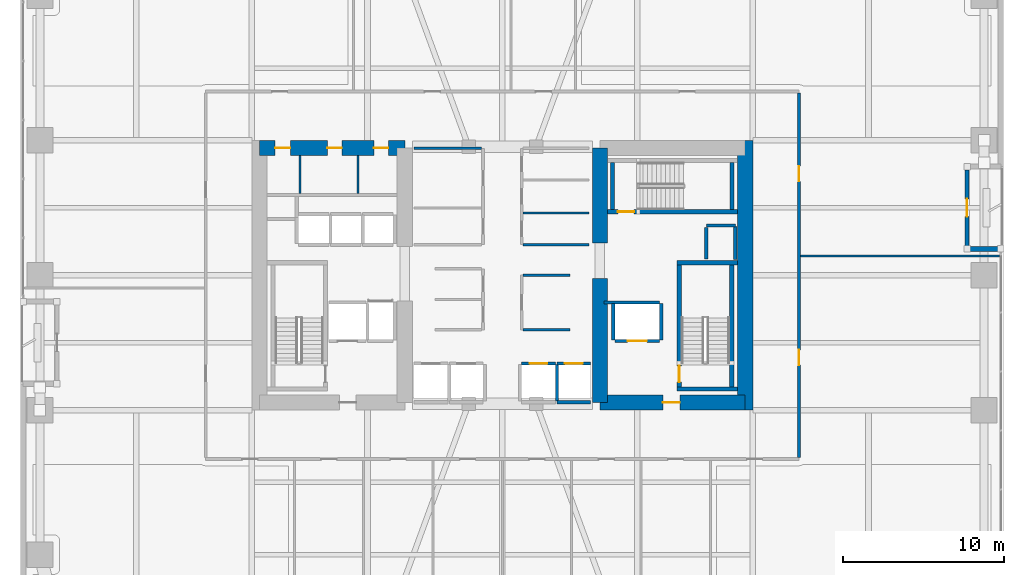
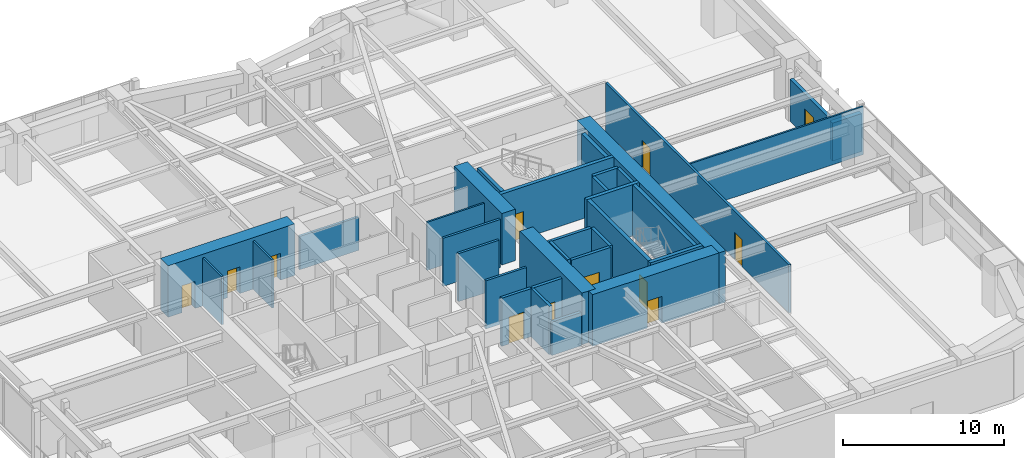
# One storey, part 24 of 28: 34 walls, 12 doors, 12 openings.
"""IFC4 building model written with IfcOpenShell, lengths in metres."""

import ifcopenshell
import ifcopenshell.guid

model = None  # the IFC model being written
_history = None  # IfcOwnerHistory: only IFC2X3 demands one
_inside = {}  # id of a spatial element -> (the spatial element, [elements in it])
_under = {}  # id of a project, library or spatial element -> (it, [spatial elements below it])
_declared = {}  # id of a project -> (the project, [libraries it declares])
_typed = {}  # id of a type object -> (the type object, [elements of that type])
_made_of = {}  # id of a material, layer set ... -> (it, [elements and type objects made of it])


def new_model(schema):
    """Start an empty IFC model of exactly this schema.

    Asked for "IFC4X3", IfcOpenShell would pick the latest addendum, in which some entities
    have other attributes; the version numbers below select the first issue.
    IFC2X3 requires an IfcOwnerHistory on every rooted entity: one is made here for all.
    """
    global model, _history
    if schema == "IFC4X3":
        model = ifcopenshell.file(schema_version=(4, 3, 0, 0))
    else:
        model = ifcopenshell.file(schema=schema)
    _inside.clear()
    _under.clear()
    _declared.clear()
    _typed.clear()
    _made_of.clear()
    _history = None
    if model.schema == "IFC2X3":
        org = make("IfcOrganization", Name="unknown")
        user = make(
            "IfcPersonAndOrganization",
            ThePerson=make("IfcPerson", FamilyName="unknown"),
            TheOrganization=org,
        )
        app = make(
            "IfcApplication",
            ApplicationDeveloper=org,
            Version="unknown",
            ApplicationFullName="unknown",
            ApplicationIdentifier="unknown",
        )
        _history = make(
            "IfcOwnerHistory",
            OwningUser=user,
            OwningApplication=app,
            ChangeAction="ADDED",
            CreationDate=0,
        )
    return model


def make(cls, **values):
    """One entity of the class cls with the attributes given. An attribute that is None is left unset."""
    return model.create_entity(
        cls, **{name: value for name, value in values.items() if value is not None}
    )


def rooted(cls, **values):
    """An entity with a GlobalId (a new one), such as an element, a storey or a relation."""
    return make(cls, GlobalId=ifcopenshell.guid.new(), OwnerHistory=_history, **values)


def si_unit(unit_type, name, prefix=None):
    """IfcSIUnit, for example si_unit("LENGTHUNIT", "METRE", prefix="MILLI")."""
    return make("IfcSIUnit", UnitType=unit_type, Prefix=prefix, Name=name)


def assignment(units):
    """IfcUnitAssignment: the units of a project."""
    return None if units is None else make("IfcUnitAssignment", Units=units)


def point(xyz):
    """IfcCartesianPoint."""
    return None if xyz is None else make("IfcCartesianPoint", Coordinates=xyz)


def direction(xyz):
    """IfcDirection."""
    return None if xyz is None else make("IfcDirection", DirectionRatios=xyz)


def frame(location, z_axis=None, x_axis=None):
    """IfcAxis2Placement3D, a coordinate frame: its origin and axes. An axis left out is left unset."""
    return make(
        "IfcAxis2Placement3D",
        Location=point(location),
        Axis=direction(z_axis),
        RefDirection=direction(x_axis),
    )


def frame_2d(location, x_axis=None):
    """IfcAxis2Placement2D, a coordinate frame in the plane: its origin and x axis."""
    return make(
        "IfcAxis2Placement2D", Location=point(location), RefDirection=direction(x_axis)
    )


def origin():
    """The frame at (0, 0, 0) with its axes left unset."""
    return frame((0.0, 0.0, 0.0))


def place(relative_to, where):
    """IfcLocalPlacement: puts the frame where relative to a parent placement (None: the world)."""
    return make(
        "IfcLocalPlacement", PlacementRelTo=relative_to, RelativePlacement=where
    )


def context(
    kind, dimensions, precision=None, world=None, true_north=None, identifier=None
):
    """IfcGeometricRepresentationContext, for example the 3D "Model" context."""
    return make(
        "IfcGeometricRepresentationContext",
        ContextIdentifier=identifier,
        ContextType=kind,
        CoordinateSpaceDimension=dimensions,
        Precision=precision,
        WorldCoordinateSystem=world,
        TrueNorth=true_north,
    )


def subcontext(parent, identifier, kind, view, scale=None):
    """IfcGeometricRepresentationSubContext, for example "Body" below "Model"."""
    return make(
        "IfcGeometricRepresentationSubContext",
        ContextIdentifier=identifier,
        ContextType=kind,
        ParentContext=parent,
        TargetScale=scale,
        TargetView=view,
    )


def project(units=None, contexts=None):
    """IfcProject with its units and contexts."""
    return rooted(
        "IfcProject",
        Name="project",
        RepresentationContexts=contexts,
        UnitsInContext=assignment(units),
    )


def spatial(cls, under=None, at=None, **own):
    """A site, building, storey or space (cls), placed at a placement, below another one or the project."""
    s = rooted(cls, ObjectPlacement=at, **own)
    if under is not None:
        _under.setdefault(under.id(), (under, []))[1].append(s)
    return s


def profile(cls, at=None, kind="AREA", **sizes):
    """A parametric profile (cls). Its sizes go by their IFC names, for example OverallWidth=200.0."""
    return make(cls, ProfileType=kind, Position=at, **sizes)


def rectangle(**sizes):
    """IfcRectangleProfileDef."""
    return profile("IfcRectangleProfileDef", **sizes)


def extrude(swept, where, along, depth):
    """IfcExtrudedAreaSolid: the profile swept, set in the frame where, extruded along a direction by depth."""
    return make(
        "IfcExtrudedAreaSolid",
        SweptArea=swept,
        Position=where,
        ExtrudedDirection=direction(along),
        Depth=depth,
    )


def shape(context_of_items, identifier, shape_type, items):
    """IfcShapeRepresentation: the items that make up one representation, for example the "Body"."""
    return make(
        "IfcShapeRepresentation",
        ContextOfItems=context_of_items,
        RepresentationIdentifier=identifier,
        RepresentationType=shape_type,
        Items=items,
    )


def material(Name=None, Category=None):
    """IfcMaterial."""
    return make("IfcMaterial", Name=Name, Category=Category)


def layer(
    of_material, thickness, ventilated=None, Name=None, Category=None, Priority=None
):
    """IfcMaterialLayer: one layer of a wall or slab, of a material (None: an air gap)."""
    return make(
        "IfcMaterialLayer",
        Material=of_material,
        LayerThickness=thickness,
        IsVentilated=ventilated,
        Name=Name,
        Category=Category,
        Priority=Priority,
    )


def layer_set(layers, Name=None):
    """IfcMaterialLayerSet."""
    return make("IfcMaterialLayerSet", MaterialLayers=layers, LayerSetName=Name)


def made_of(thing, what):
    """Note that an element or type object is made of a material, layer set ...; save() writes the relation."""
    if what is not None:
        _made_of.setdefault(what.id(), (what, []))[1].append(thing)
    return thing


def type_object(cls, material=None, **own):
    """A type object (cls), such as IfcWallType, which elements share."""
    return made_of(rooted(cls, **own), material)


def element(
    cls,
    number,
    at=None,
    inside=None,
    cuts=None,
    type_object=None,
    material=None,
    context=None,
    identifier="Body",
    shape_type=None,
    held_by="IfcProductDefinitionShape",
    body=None,
    shapes=None,
    **own,
):
    """One element of the class cls, such as IfcWall. Its Tag is "e" and its number.

    at: its placement. inside: the storey or other place that contains it. cuts: it is an
    opening in that element (IfcRelVoidsElement). A single representation is given by context,
    identifier, shape_type and body (its items); several are given by shapes. held_by: the class
    of the entity that holds the representations. save() writes the other relations.
    """
    e = rooted(cls, Tag="e%d" % number, ObjectPlacement=at, **own)
    if body is not None:
        shapes = [shape(context, identifier, shape_type, body)]
    if shapes is not None:
        e.Representation = make(held_by, Representations=shapes)
    if inside is not None:
        _inside.setdefault(inside.id(), (inside, []))[1].append(e)
    if cuts is not None:
        rooted(
            "IfcRelVoidsElement", RelatingBuildingElement=cuts, RelatedOpeningElement=e
        )
    if type_object is not None:
        _typed.setdefault(type_object.id(), (type_object, []))[1].append(e)
    return made_of(e, material)


def fill(opening, filler):
    """IfcRelFillsElement: the door or window that sits in an opening."""
    return rooted(
        "IfcRelFillsElement",
        RelatingOpeningElement=opening,
        RelatedBuildingElement=filler,
    )


def aggregate(whole, parts):
    """IfcRelAggregates: a whole, such as a stair, and the parts it consists of."""
    return rooted("IfcRelAggregates", RelatingObject=whole, RelatedObjects=parts)


def save(model, path):
    """Write the relations noted so far, then the file.

    IfcRelAggregates (storeys below a building ...), IfcRelContainedInSpatialStructure (elements
    in a storey), IfcRelDefinesByType, IfcRelAssociatesMaterial and IfcRelDeclares: one each for
    every whole, place, type object, material and project.
    """
    for whole, parts in _under.values():
        aggregate(whole, parts)
    for where, things in _inside.values():
        rooted(
            "IfcRelContainedInSpatialStructure",
            RelatedElements=things,
            RelatingStructure=where,
        )
    for kind, things in _typed.values():
        rooted("IfcRelDefinesByType", RelatedObjects=things, RelatingType=kind)
    for what, things in _made_of.values():
        rooted("IfcRelAssociatesMaterial", RelatedObjects=things, RelatingMaterial=what)
    for by, libraries in _declared.values():
        rooted("IfcRelDeclares", RelatingContext=by, RelatedDefinitions=libraries)
    model.write(path)


model = new_model("IFC4")

# Units and contexts
model_context = context("Model", 3, precision=1e-05, world=origin(), true_north=direction((0.0, 1.0)))
body_context = subcontext(model_context, "Body", "Model", "MODEL_VIEW")
ifc_project = project(units=[si_unit("LENGTHUNIT", "METRE"), si_unit("AREAUNIT", "SQUARE_METRE"), si_unit("VOLUMEUNIT", "CUBIC_METRE"), si_unit("PLANEANGLEUNIT", "RADIAN"), si_unit("MASSUNIT", "GRAM", prefix="KILO")], contexts=[model_context])

# Site, building, storey
site_placement = place(None, origin())
site = spatial("IfcSite", under=ifc_project, at=site_placement, CompositionType="ELEMENT")
building_placement = place(site_placement, origin())
building = spatial("IfcBuilding", under=site, at=building_placement, Name="Kiyonajd Concourse Tower", CompositionType="ELEMENT")
storey_placement = place(building_placement, frame((0.0, 0.0, 64.5)))
storey = spatial("IfcBuildingStorey", under=building, at=storey_placement, Name="L17", CompositionType="ELEMENT", Elevation=64.5)

# Wall, openings, doors
ifc_material_1 = material(Name="Concrete C80/95", Category="concrete")
ifc_layer_1 = layer(ifc_material_1, 0.949951171875)
ifc_layer_set_1 = layer_set([ifc_layer_1], Name="Concrete C80/95")
wall_type_1 = type_object("IfcWallType", Name="WL-CORE-950", PredefinedType="SHEAR", material=ifc_layer_set_1)
wall_1_placement = place(storey_placement, frame((32.875, 43.925048828125, 0.0), z_axis=(0.0, 0.0, 1.0), x_axis=(1.0, 0.0, 0.0)))
wall_1 = element("IfcWall", 1, at=wall_1_placement, inside=storey, type_object=wall_type_1, Name="L17 West Core North Shear Wall", PredefinedType="SHEAR", context=body_context, shape_type="SweptSolid", body=[
    extrude(rectangle(XDim=9.050048828125, YDim=0.949951171875, at=frame_2d((4.52490234375, 0.0))), origin(), (0.0, 0.0, 1.0), 3.89990234375),
])
opening_1_placement = place(wall_1_placement, frame((0.97509765625, 0.0, 0.0)))
opening_1 = element("IfcOpeningElement", 2, at=opening_1_placement, cuts=wall_1, Name="Opening DI1", PredefinedType="OPENING", context=body_context, shape_type="SweptSolid", body=[
    extrude(rectangle(XDim=0.949951171875, YDim=2.0400390625, at=frame_2d((0.47509765625, 1.02001953125))), frame((0.0, 0.48486328125, 0.0), z_axis=(0.0, -1.0, 0.0), x_axis=(1.0, 0.0, 0.0)), (0.0, 0.0, 1.0), 0.969970703125),
])
opening_2_placement = place(wall_1_placement, frame((4.22509765625, 0.0, 0.0)))
opening_2 = element("IfcOpeningElement", 3, at=opening_2_placement, cuts=wall_1, Name="Opening DI2", PredefinedType="OPENING", context=body_context, shape_type="SweptSolid", body=[
    extrude(rectangle(XDim=0.89990234375, YDim=2.02001953125, at=frame_2d((0.449951171875, 1.010009765625))), frame((0.0, 0.48486328125, 0.0), z_axis=(0.0, -1.0, 0.0), x_axis=(1.0, 0.0, 0.0)), (0.0, 0.0, 1.0), 0.969970703125),
])
opening_3_placement = place(wall_1_placement, frame((7.125, 0.0, 0.0)))
opening_3 = element("IfcOpeningElement", 4, at=opening_3_placement, cuts=wall_1, Name="Opening DI2", PredefinedType="OPENING", context=body_context, shape_type="SweptSolid", body=[
    extrude(rectangle(XDim=0.89990234375, YDim=2.02001953125, at=frame_2d((0.449951171875, 1.010009765625))), frame((0.0, 0.48486328125, 0.0), z_axis=(0.0, -1.0, 0.0), x_axis=(1.0, 0.0, 0.0)), (0.0, 0.0, 1.0), 0.969970703125),
])
ifc_material_2 = material(Name="Natural Oak Acoustic Timber Veneer", Category="wood")
door_type_1 = type_object("IfcDoorType", Name="DR-INT-900", OperationType="NOTDEFINED", PredefinedType="DOOR", material=ifc_material_2)
door_1_placement = place(opening_2_placement, origin())
door_1 = element("IfcDoor", 5, at=door_1_placement, inside=storey, type_object=door_type_1, Name="L17 Male Restroom Door", OperationType="SINGLE_SWING_RIGHT", OverallHeight=2.02001953125, OverallWidth=0.89990234375, PredefinedType="DOOR", context=body_context, shape_type="SweptSolid", body=[
    extrude(rectangle(XDim=0.89990234375, YDim=2.02001953125, at=frame_2d((0.449951171875, 1.010009765625))), frame((0.0, 0.02490234375, 0.0), z_axis=(0.0, -1.0, 0.0), x_axis=(1.0, 0.0, 0.0)), (0.0, 0.0, 1.0), 0.050048828125),
])
fill(opening_2, door_1)
door_2_placement = place(opening_3_placement, origin())
door_2 = element("IfcDoor", 6, at=door_2_placement, inside=storey, type_object=door_type_1, Name="L17 Female Restroom Door", OperationType="SINGLE_SWING_LEFT", OverallHeight=2.02001953125, OverallWidth=0.89990234375, PredefinedType="DOOR", context=body_context, shape_type="SweptSolid", body=[
    extrude(rectangle(XDim=0.89990234375, YDim=2.02001953125, at=frame_2d((0.449951171875, 1.010009765625))), frame((0.0, 0.02490234375, 0.0), z_axis=(0.0, -1.0, 0.0), x_axis=(1.0, 0.0, 0.0)), (0.0, 0.0, 1.0), 0.050048828125),
])
fill(opening_3, door_2)
door_type_2 = type_object("IfcDoorType", Name="DR-INT-950", OperationType="NOTDEFINED", PredefinedType="DOOR", material=ifc_material_2)
door_3_placement = place(opening_1_placement, origin())
door_3 = element("IfcDoor", 7, at=door_3_placement, inside=storey, type_object=door_type_2, Name="L17 Single User Accessible WC Door", OperationType="SINGLE_SWING_LEFT", OverallHeight=2.0400390625, OverallWidth=0.949951171875, PredefinedType="DOOR", context=body_context, shape_type="SweptSolid", body=[
    extrude(rectangle(XDim=0.949951171875, YDim=2.0400390625, at=frame_2d((0.47509765625, 1.02001953125))), frame((0.0, 0.02490234375, 0.0), z_axis=(0.0, -1.0, 0.0), x_axis=(1.0, 0.0, 0.0)), (0.0, 0.0, 1.0), 0.050048828125),
])
fill(opening_1, door_3)

# Walls
wall_2_placement = place(storey_placement, frame((54.074951171875, 28.074951171875, 0.0), z_axis=(0.0, 0.0, 1.0), x_axis=(0.0, 1.0, 0.0)))
element("IfcWall", 8, at=wall_2_placement, inside=storey, type_object=wall_type_1, Name="L17 East Core Inner South Shear Wall", PredefinedType="SHEAR", context=body_context, shape_type="SweptSolid", body=[
    extrude(rectangle(XDim=7.72509765625, YDim=0.949951171875, at=frame_2d((3.862548828125, 0.0))), origin(), (0.0, 0.0, 1.0), 3.89990234375),
])
wall_3_placement = place(storey_placement, frame((54.074951171875, 38.0, 0.0), z_axis=(0.0, 0.0, 1.0), x_axis=(0.0, 1.0, 0.0)))
element("IfcWall", 9, at=wall_3_placement, inside=storey, type_object=wall_type_1, Name="L17 East Core Inner North Shear Wall", PredefinedType="SHEAR", context=body_context, shape_type="SweptSolid", body=[
    extrude(rectangle(XDim=5.925048828125, YDim=0.949951171875, at=frame_2d((2.96240234375, 0.0))), origin(), (0.0, 0.0, 1.0), 3.89990234375),
])
wall_4_placement = place(storey_placement, frame((63.125, 27.60009765625, 0.0), z_axis=(0.0, 0.0, 1.0), x_axis=(0.0, 1.0, 0.0)))
element("IfcWall", 10, at=wall_4_placement, inside=storey, type_object=wall_type_1, Name="L17 East Core Outer Shear Wall", PredefinedType="SHEAR", context=body_context, shape_type="SweptSolid", body=[
    extrude(rectangle(XDim=16.7998046875, YDim=0.949951171875, at=frame_2d((8.39990234375, 0.0))), origin(), (0.0, 0.0, 1.0), 3.89990234375),
])

# Wall, opening, door
wall_5_placement = place(storey_placement, frame((54.074951171875, 28.074951171875, 0.0), z_axis=(0.0, 0.0, 1.0), x_axis=(1.0, 0.0, 0.0)))
wall_5 = element("IfcWall", 11, at=wall_5_placement, inside=storey, type_object=wall_type_1, Name="L17 East Core South Shear Wall", PredefinedType="SHEAR", context=body_context, shape_type="SweptSolid", body=[
    extrude(rectangle(XDim=9.050048828125, YDim=0.949951171875, at=frame_2d((4.52490234375, 0.0))), origin(), (0.0, 0.0, 1.0), 3.89990234375),
])
opening_4_placement = place(wall_5_placement, frame((3.925048828125, 0.0, 0.0)))
opening_4 = element("IfcOpeningElement", 12, at=opening_4_placement, cuts=wall_5, Name="Opening DF5", PredefinedType="OPENING", context=body_context, shape_type="SweptSolid", body=[
    extrude(rectangle(XDim=1.050048828125, YDim=2.0400390625, at=frame_2d((0.52490234375, 1.02001953125))), frame((0.0, 0.48486328125, 0.0), z_axis=(0.0, -1.0, 0.0), x_axis=(1.0, 0.0, 0.0)), (0.0, 0.0, 1.0), 0.969970703125),
])
ifc_material_3 = material(Name="Brushed Stainless Steel Cab Assembly", Category="steel")
door_type_3 = type_object("IfcDoorType", Name="DR-FD45-1050", OperationType="NOTDEFINED", PredefinedType="DOOR", material=ifc_material_3)
door_4_placement = place(opening_4_placement, origin())
door_4 = element("IfcDoor", 13, at=door_4_placement, inside=storey, type_object=door_type_3, Name="L17 Firefighting Lift Lobby E Smoke Door", OperationType="SINGLE_SWING_RIGHT", OverallHeight=2.0400390625, OverallWidth=1.050048828125, PredefinedType="DOOR", context=body_context, shape_type="SweptSolid", body=[
    extrude(rectangle(XDim=1.050048828125, YDim=2.0400390625, at=frame_2d((0.52490234375, 1.02001953125))), frame((0.0, 0.02490234375, 0.0), z_axis=(0.0, -1.0, 0.0), x_axis=(1.0, 0.0, 0.0)), (0.0, 0.0, 1.0), 0.050048828125),
])
fill(opening_4, door_4)

# Wall
ifc_material_4 = material(Name="Precast concrete C50/60", Category="concrete")
ifc_layer_2 = layer(ifc_material_4, 0.320068359375)
ifc_layer_set_2 = layer_set([ifc_layer_2], Name="Precast concrete C50/60")
wall_type_2 = type_object("IfcWallType", Name="WL-EXT-320", PredefinedType="SOLIDWALL", material=ifc_layer_set_2)
wall_6_placement = place(storey_placement, frame((76.93994140625, 37.639892578125, 0.0), z_axis=(0.0, 0.0, 1.0), x_axis=(1.0, 0.0, 0.0)))
element("IfcWall", 14, at=wall_6_placement, inside=storey, type_object=wall_type_2, Name="L17 Exterior Concrete Frame Wall 23", PredefinedType="SOLIDWALL", context=body_context, shape_type="SweptSolid", body=[
    extrude(rectangle(XDim=2.10009765625, YDim=0.320068359375, at=frame_2d((1.050048828125, 0.0))), origin(), (0.0, 0.0, 1.0), 2.875),
])

# Wall, opening, door
ifc_layer_3 = layer(ifc_material_4, 0.239990234375)
ifc_layer_set_3 = layer_set([ifc_layer_3], Name="Precast concrete C50/60")
wall_type_3 = type_object("IfcWallType", Name="WL-LOG-240", PredefinedType="SOLIDWALL", material=ifc_layer_set_3)
wall_7_placement = place(storey_placement, frame((76.93994140625, 42.56494140625, 0.0), z_axis=(0.0, 0.0, 1.0), x_axis=(0.0, -1.0, 0.0)))
wall_7 = element("IfcWall", 15, at=wall_7_placement, inside=storey, type_object=wall_type_3, Name="L17 Recessed Loggia Thermal Wall LOG-E", PredefinedType="SOLIDWALL", context=body_context, shape_type="SweptSolid", body=[
    extrude(rectangle(XDim=4.72998046875, YDim=0.239990234375, at=frame_2d((2.364990234375, 0.0))), origin(), (0.0, 0.0, 1.0), 3.162109375),
])
opening_5_placement = place(wall_7_placement, frame((1.81494140625, 0.0, 0.0)))
opening_5 = element("IfcOpeningElement", 16, at=opening_5_placement, cuts=wall_7, Name="Opening DL2", PredefinedType="OPENING", context=body_context, shape_type="SweptSolid", body=[
    extrude(rectangle(XDim=1.10009765625, YDim=2.0400390625, at=frame_2d((0.550048828125, 1.02001953125))), frame((0.0, 0.1298828125, 0.0), z_axis=(0.0, -1.0, 0.0), x_axis=(1.0, 0.0, 0.0)), (0.0, 0.0, 1.0), 0.260009765625),
])
ifc_material_5 = material(Name="Thermally Broken Anodised Aluminium", Category="aluminium")
door_type_4 = type_object("IfcDoorType", Name="DR-LOG-1100", OperationType="NOTDEFINED", PredefinedType="DOOR", material=ifc_material_5)
door_5_placement = place(opening_5_placement, origin())
door_5 = element("IfcDoor", 17, at=door_5_placement, inside=storey, type_object=door_type_4, Name="L17 Engawa Loggia Access Door LOG-E", OperationType="SINGLE_SWING_LEFT", OverallHeight=2.0400390625, OverallWidth=1.10009765625, PredefinedType="DOOR", context=body_context, shape_type="SweptSolid", body=[
    extrude(rectangle(XDim=1.10009765625, YDim=2.0400390625, at=frame_2d((0.550048828125, 1.02001953125))), frame((0.0, 0.02490234375, 0.0), z_axis=(0.0, -1.0, 0.0), x_axis=(1.0, 0.0, 0.0)), (0.0, 0.0, 1.0), 0.050048828125),
])
fill(opening_5, door_5)

# Walls
ifc_material_6 = material(Name="Gypsum Board on Cold-Formed Steel Stud", Category="steel")
ifc_layer_4 = layer(ifc_material_6, 0.125)
ifc_layer_set_4 = layer_set([ifc_layer_4], Name="Gypsum Board on Cold-Formed Steel Stud")
wall_type_4 = type_object("IfcWallType", Name="WL-PART-125", PredefinedType="PARTITIONING", material=ifc_layer_set_4)
for number, where, z_axis, x_axis, name in (
    (18, (35.39990234375, 41.094970703125, 0.0), (0.0, 0.0, 1.0), (0.0, 1.0, 0.0), "L17 Interior Partition Wall"),
    (19, (39.0, 41.094970703125, 0.0), (0.0, 0.0, 1.0), (0.0, 1.0, 0.0), "L17 Interior Partition Wall"),
):
    element("IfcWall", number, at=place(storey_placement, frame(where, z_axis=z_axis, x_axis=x_axis)), inside=storey, type_object=wall_type_4, Name=name, PredefinedType="PARTITIONING", context=body_context, shape_type="SweptSolid", body=[
        extrude(rectangle(XDim=2.35498046875, YDim=0.125, at=frame_2d((1.177490234375, 0.0))), origin(), (0.0, 0.0, 1.0), 3.639892578125),
    ])
wall_8_placement = place(storey_placement, frame((49.287109375, 39.8798828125, 0.0), z_axis=(0.0, 0.0, 1.0), x_axis=(1.0, 0.0, 0.0)))
element("IfcWall", 20, at=wall_8_placement, inside=storey, type_object=wall_type_4, Name="L17 Interior Partition Wall", PredefinedType="PARTITIONING", context=body_context, shape_type="SweptSolid", body=[
    extrude(rectangle(XDim=4.11279296875, YDim=0.125, at=frame_2d((2.056396484375, 0.0))), origin(), (0.0, 0.0, 1.0), 3.639892578125),
])
wall_9_placement = place(storey_placement, frame((66.56201171875, 37.199951171875, 0.0), z_axis=(0.0, 0.0, 1.0), x_axis=(1.0, 0.0, 0.0)))
element("IfcWall", 21, at=wall_9_placement, inside=storey, type_object=wall_type_4, Name="L17 Interior Partition Wall", PredefinedType="PARTITIONING", context=body_context, shape_type="SweptSolid", body=[
    extrude(rectangle(XDim=12.39306640625, YDim=0.125, at=frame_2d((6.196533203125, 0.0))), origin(), (0.0, 0.0, 1.0), 3.639892578125),
])
ifc_layer_5 = layer(ifc_material_6, 0.2099609375)
ifc_layer_set_5 = layer_set([ifc_layer_5], Name="Gypsum Board on Cold-Formed Steel Stud")
wall_type_5 = type_object("IfcWallType", Name="WL-SHAFT-210", PredefinedType="PARTITIONING", material=ifc_layer_set_5)
wall_10_placement = place(storey_placement, frame((60.719970703125, 39.10009765625, 0.0), z_axis=(0.0, 0.0, 1.0), x_axis=(1.0, 0.0, 0.0)))
element("IfcWall", 22, at=wall_10_placement, inside=storey, type_object=wall_type_5, Name="L17 Shaft Enclosure Wall", PredefinedType="PARTITIONING", context=body_context, shape_type="SweptSolid", body=[
    extrude(rectangle(XDim=1.800048828125, YDim=0.2099609375, at=frame_2d((0.89990234375, 0.0))), origin(), (0.0, 0.0, 1.0), 3.639892578125),
])
wall_11_placement = place(storey_placement, frame((60.699951171875, 37.02001953125, 0.0), z_axis=(0.0, 0.0, 1.0), x_axis=(0.0, 1.0, 0.0)))
element("IfcWall", 23, at=wall_11_placement, inside=storey, type_object=wall_type_5, Name="L17 Shaft Enclosure Wall", PredefinedType="PARTITIONING", context=body_context, shape_type="SweptSolid", body=[
    extrude(rectangle(XDim=1.9599609375, YDim=0.2099609375, at=frame_2d((0.97998046875, 0.0))), origin(), (0.0, 0.0, 1.0), 3.639892578125),
])
wall_12_placement = place(storey_placement, frame((62.5, 36.97998046875, 0.0), z_axis=(0.0, 0.0, 1.0), x_axis=(0.0, 1.0, 0.0)))
element("IfcWall", 24, at=wall_12_placement, inside=storey, type_object=wall_type_5, Name="L17 Shaft Enclosure Wall", PredefinedType="PARTITIONING", context=body_context, shape_type="SweptSolid", body=[
    extrude(rectangle(XDim=2.0400390625, YDim=0.2099609375, at=frame_2d((1.02001953125, 0.0))), origin(), (0.0, 0.0, 1.0), 3.639892578125),
])

# Wall, opening, door
wall_13_placement = place(storey_placement, frame((55.0, 31.89990234375, 0.0), z_axis=(0.0, 0.0, 1.0), x_axis=(1.0, 0.0, 0.0)))
wall_13 = element("IfcWall", 25, at=wall_13_placement, inside=storey, type_object=wall_type_5, Name="L17 Shaft Enclosure Wall", PredefinedType="PARTITIONING", context=body_context, shape_type="SweptSolid", body=[
    extrude(rectangle(XDim=2.800048828125, YDim=0.2099609375, at=frame_2d((1.39990234375, 0.0))), origin(), (0.0, 0.0, 1.0), 3.639892578125),
])
opening_6_placement = place(wall_13_placement, frame((0.800048828125, 0.0, 0.0)))
opening_6 = element("IfcOpeningElement", 26, at=opening_6_placement, cuts=wall_13, Name="Opening LD2", PredefinedType="OPENING", context=body_context, shape_type="SweptSolid", body=[
    extrude(rectangle(XDim=1.199951171875, YDim=2.0400390625, at=frame_2d((0.60009765625, 1.02001953125))), frame((0.0, 0.114990234375, 0.0), z_axis=(0.0, -1.0, 0.0), x_axis=(1.0, 0.0, 0.0)), (0.0, 0.0, 1.0), 0.22998046875),
])
door_type_5 = type_object("IfcDoorType", Name="DR-LD-1200", OperationType="DOUBLE_DOOR_SLIDING", PredefinedType="DOOR", material=ifc_material_3)
door_6_placement = place(opening_6_placement, origin())
door_6 = element("IfcDoor", 27, at=door_6_placement, inside=storey, type_object=door_type_5, Name="L17 Lift FFL2 Sliding Landing Door", OperationType="DOUBLE_DOOR_SLIDING", OverallHeight=2.0400390625, OverallWidth=1.199951171875, PredefinedType="DOOR", context=body_context, shape_type="SweptSolid", body=[
    extrude(rectangle(XDim=1.199951171875, YDim=2.0400390625, at=frame_2d((0.60009765625, 1.02001953125))), frame((0.0, 0.02490234375, 0.0), z_axis=(0.0, -1.0, 0.0), x_axis=(1.0, 0.0, 0.0)), (0.0, 0.0, 1.0), 0.050048828125),
])
fill(opening_6, door_6)

# Walls
wall_14_placement = place(storey_placement, frame((54.320068359375, 34.300048828125, 0.0), z_axis=(0.0, 0.0, 1.0), x_axis=(1.0, 0.0, 0.0)))
element("IfcWall", 28, at=wall_14_placement, inside=storey, type_object=wall_type_5, Name="L17 Shaft Enclosure Wall", PredefinedType="PARTITIONING", context=body_context, shape_type="SweptSolid", body=[
    extrude(rectangle(XDim=3.47998046875, YDim=0.2099609375, at=frame_2d((1.739990234375, 0.0))), origin(), (0.0, 0.0, 1.0), 3.639892578125),
])
for number, where, z_axis, x_axis, name in (
    (29, (54.89990234375, 31.9599609375, 0.0), (0.0, 0.0, 1.0), (0.0, 1.0, 0.0), "L17 Shaft Enclosure Wall"),
    (30, (57.89990234375, 31.9599609375, 0.0), (0.0, 0.0, 1.0), (0.0, 1.0, 0.0), "L17 Shaft Enclosure Wall"),
):
    element("IfcWall", number, at=place(storey_placement, frame(where, z_axis=z_axis, x_axis=x_axis)), inside=storey, type_object=wall_type_5, Name=name, PredefinedType="PARTITIONING", context=body_context, shape_type="SweptSolid", body=[
        extrude(rectangle(XDim=2.280029296875, YDim=0.2099609375, at=frame_2d((1.14013671875, 0.0))), origin(), (0.0, 0.0, 1.0), 3.639892578125),
    ])

# Wall, opening, door
wall_15_placement = place(storey_placement, frame((49.199951171875, 30.5, 0.0), z_axis=(0.0, 0.0, 1.0), x_axis=(1.0, 0.0, 0.0)))
wall_15 = element("IfcWall", 31, at=wall_15_placement, inside=storey, type_object=wall_type_5, Name="L17 Shaft Enclosure Wall", PredefinedType="PARTITIONING", context=body_context, shape_type="SweptSolid", body=[
    extrude(rectangle(XDim=2.10009765625, YDim=0.2099609375, at=frame_2d((1.050048828125, 0.0))), origin(), (0.0, 0.0, 1.0), 3.639892578125),
])
opening_7_placement = place(wall_15_placement, frame((0.5, 0.0, 0.0)))
opening_7 = element("IfcOpeningElement", 32, at=opening_7_placement, cuts=wall_15, Name="Opening LD1", PredefinedType="OPENING", context=body_context, shape_type="SweptSolid", body=[
    extrude(rectangle(XDim=1.10009765625, YDim=2.0400390625, at=frame_2d((0.550048828125, 1.02001953125))), frame((0.0, 0.114990234375, 0.0), z_axis=(0.0, -1.0, 0.0), x_axis=(1.0, 0.0, 0.0)), (0.0, 0.0, 1.0), 0.22998046875),
])
door_type_6 = type_object("IfcDoorType", Name="DR-LD-1100", OperationType="DOUBLE_DOOR_SLIDING", PredefinedType="DOOR", material=ifc_material_3)
door_7_placement = place(opening_7_placement, origin())
door_7 = element("IfcDoor", 33, at=door_7_placement, inside=storey, type_object=door_type_6, Name="L17 Lift PL-L3 Sliding Landing Door", OperationType="DOUBLE_DOOR_SLIDING", OverallHeight=2.0400390625, OverallWidth=1.10009765625, PredefinedType="DOOR", context=body_context, shape_type="SweptSolid", body=[
    extrude(rectangle(XDim=1.10009765625, YDim=2.0400390625, at=frame_2d((0.550048828125, 1.02001953125))), frame((0.0, 0.02490234375, 0.0), z_axis=(0.0, -1.0, 0.0), x_axis=(1.0, 0.0, 0.0)), (0.0, 0.0, 1.0), 0.050048828125),
])
fill(opening_7, door_7)

# Wall
wall_16_placement = place(storey_placement, frame((51.39990234375, 28.159912109375, 0.0), z_axis=(0.0, 0.0, 1.0), x_axis=(0.0, 1.0, 0.0)))
element("IfcWall", 34, at=wall_16_placement, inside=storey, type_object=wall_type_5, Name="L17 Shaft Enclosure Wall", PredefinedType="PARTITIONING", context=body_context, shape_type="SweptSolid", body=[
    extrude(rectangle(XDim=2.280029296875, YDim=0.2099609375, at=frame_2d((1.14013671875, 0.0))), origin(), (0.0, 0.0, 1.0), 3.639892578125),
])

# Wall, opening, door
wall_17_placement = place(storey_placement, frame((51.39990234375, 30.5, 0.0), z_axis=(0.0, 0.0, 1.0), x_axis=(1.0, 0.0, 0.0)))
wall_17 = element("IfcWall", 35, at=wall_17_placement, inside=storey, type_object=wall_type_5, Name="L17 Shaft Enclosure Wall", PredefinedType="PARTITIONING", context=body_context, shape_type="SweptSolid", body=[
    extrude(rectangle(XDim=2.10009765625, YDim=0.2099609375, at=frame_2d((1.050048828125, 0.0))), origin(), (0.0, 0.0, 1.0), 3.639892578125),
])
opening_8_placement = place(wall_17_placement, frame((0.5, 0.0, 0.0)))
opening_8 = element("IfcOpeningElement", 36, at=opening_8_placement, cuts=wall_17, Name="Opening LD1", PredefinedType="OPENING", context=body_context, shape_type="SweptSolid", body=[
    extrude(rectangle(XDim=1.10009765625, YDim=2.0400390625, at=frame_2d((0.550048828125, 1.02001953125))), frame((0.0, 0.114990234375, 0.0), z_axis=(0.0, -1.0, 0.0), x_axis=(1.0, 0.0, 0.0)), (0.0, 0.0, 1.0), 0.22998046875),
])
door_8_placement = place(opening_8_placement, origin())
door_8 = element("IfcDoor", 37, at=door_8_placement, inside=storey, type_object=door_type_6, Name="L17 Lift PL-L4 Sliding Landing Door", OperationType="DOUBLE_DOOR_SLIDING", OverallHeight=2.0400390625, OverallWidth=1.10009765625, PredefinedType="DOOR", context=body_context, shape_type="SweptSolid", body=[
    extrude(rectangle(XDim=1.10009765625, YDim=2.0400390625, at=frame_2d((0.550048828125, 1.02001953125))), frame((0.0, 0.02490234375, 0.0), z_axis=(0.0, -1.0, 0.0), x_axis=(1.0, 0.0, 0.0)), (0.0, 0.0, 1.0), 0.050048828125),
])
fill(opening_8, door_8)

# Walls
wall_18_placement = place(storey_placement, frame((51.39990234375, 28.10009765625, 0.0), z_axis=(0.0, 0.0, 1.0), x_axis=(1.0, 0.0, 0.0)))
element("IfcWall", 38, at=wall_18_placement, inside=storey, type_object=wall_type_5, Name="L17 Shaft Enclosure Wall", PredefinedType="PARTITIONING", context=body_context, shape_type="SweptSolid", body=[
    extrude(rectangle(XDim=2.10009765625, YDim=0.2099609375, at=frame_2d((1.050048828125, 0.0))), origin(), (0.0, 0.0, 1.0), 2.52490234375),
])
ifc_layer_6 = layer(ifc_material_6, 0.169921875)
ifc_layer_set_6 = layer_set([ifc_layer_6], Name="Gypsum Board on Cold-Formed Steel Stud")
wall_type_6 = type_object("IfcWallType", Name="WL-SMK-170", PredefinedType="PARTITIONING", material=ifc_layer_set_6)
for number, where, z_axis, x_axis, name in (
    (39, (49.287109375, 32.60009765625, 0.0), (0.0, 0.0, 1.0), (1.0, 0.0, 0.0), "L17 Interior Partition Wall"),
    (40, (49.287109375, 36.0, 0.0), (0.0, 0.0, 1.0), (1.0, 0.0, 0.0), "L17 Interior Partition Wall"),
):
    element("IfcWall", number, at=place(storey_placement, frame(where, z_axis=z_axis, x_axis=x_axis)), inside=storey, type_object=wall_type_6, Name=name, PredefinedType="PARTITIONING", context=body_context, shape_type="SweptSolid", body=[
        extrude(rectangle(XDim=2.912841796875, YDim=0.169921875, at=frame_2d((1.45654296875, 0.0))), origin(), (0.0, 0.0, 1.0), 3.639892578125),
    ])
wall_19_placement = place(storey_placement, frame((42.5, 43.89990234375, 0.0), z_axis=(0.0, 0.0, 1.0), x_axis=(1.0, 0.0, 0.0)))
element("IfcWall", 41, at=wall_19_placement, inside=storey, type_object=wall_type_6, Name="L17 Interior Partition Wall", PredefinedType="PARTITIONING", context=body_context, shape_type="SweptSolid", body=[
    extrude(rectangle(XDim=4.212890625, YDim=0.169921875, at=frame_2d((2.1064453125, 0.0))), origin(), (0.0, 0.0, 1.0), 2.52490234375),
])
wall_20_placement = place(storey_placement, frame((49.287109375, 37.89990234375, 0.0), z_axis=(0.0, 0.0, 1.0), x_axis=(1.0, 0.0, 0.0)))
element("IfcWall", 42, at=wall_20_placement, inside=storey, type_object=wall_type_6, Name="L17 Interior Partition Wall", PredefinedType="PARTITIONING", context=body_context, shape_type="SweptSolid", body=[
    extrude(rectangle(XDim=4.11279296875, YDim=0.169921875, at=frame_2d((2.056396484375, 0.0))), origin(), (0.0, 0.0, 1.0), 3.639892578125),
])

# Wall, openings, doors
wall_21_placement = place(storey_placement, frame((66.47509765625, 24.64697265625, 0.0), z_axis=(0.0, 0.0, 1.0), x_axis=(0.0, 1.0, 0.0)))
wall_21 = element("IfcWall", 43, at=wall_21_placement, inside=storey, type_object=wall_type_6, Name="L17 Interior Partition Wall", PredefinedType="PARTITIONING", context=body_context, shape_type="SweptSolid", body=[
    extrude(rectangle(XDim=22.7060546875, YDim=0.169921875, at=frame_2d((11.35302734375, 0.0))), origin(), (0.0, 0.0, 1.0), 3.639892578125),
])
opening_9_placement = place(wall_21_placement, frame((5.758056640625, 0.0, 0.0)))
opening_9 = element("IfcOpeningElement", 44, at=opening_9_placement, cuts=wall_21, Name="Opening DI1", PredefinedType="OPENING", context=body_context, shape_type="SweptSolid", body=[
    extrude(rectangle(XDim=0.949951171875, YDim=2.0400390625, at=frame_2d((0.47509765625, 1.02001953125))), frame((0.0, 0.094970703125, 0.0), z_axis=(0.0, -1.0, 0.0), x_axis=(1.0, 0.0, 0.0)), (0.0, 0.0, 1.0), 0.18994140625),
])
opening_10_placement = place(wall_21_placement, frame((17.197998046875, 0.0, 0.0)))
opening_10 = element("IfcOpeningElement", 45, at=opening_10_placement, cuts=wall_21, Name="Opening DI1", PredefinedType="OPENING", context=body_context, shape_type="SweptSolid", body=[
    extrude(rectangle(XDim=0.949951171875, YDim=2.0400390625, at=frame_2d((0.47509765625, 1.02001953125))), frame((0.0, 0.094970703125, 0.0), z_axis=(0.0, -1.0, 0.0), x_axis=(1.0, 0.0, 0.0)), (0.0, 0.0, 1.0), 0.18994140625),
])
door_9_placement = place(opening_9_placement, origin())
door_9 = element("IfcDoor", 46, at=door_9_placement, inside=storey, type_object=door_type_2, Name="L17 Interior Door", OperationType="SINGLE_SWING_LEFT", OverallHeight=2.0400390625, OverallWidth=0.949951171875, PredefinedType="DOOR", context=body_context, shape_type="SweptSolid", body=[
    extrude(rectangle(XDim=0.949951171875, YDim=2.0400390625, at=frame_2d((0.47509765625, 1.02001953125))), frame((0.0, 0.02490234375, 0.0), z_axis=(0.0, -1.0, 0.0), x_axis=(1.0, 0.0, 0.0)), (0.0, 0.0, 1.0), 0.050048828125),
])
fill(opening_9, door_9)
door_10_placement = place(opening_10_placement, origin())
door_10 = element("IfcDoor", 47, at=door_10_placement, inside=storey, type_object=door_type_2, Name="L17 Interior Door", OperationType="SINGLE_SWING_RIGHT", OverallHeight=2.0400390625, OverallWidth=0.949951171875, PredefinedType="DOOR", context=body_context, shape_type="SweptSolid", body=[
    extrude(rectangle(XDim=0.949951171875, YDim=2.0400390625, at=frame_2d((0.47509765625, 1.02001953125))), frame((0.0, 0.02490234375, 0.0), z_axis=(0.0, -1.0, 0.0), x_axis=(1.0, 0.0, 0.0)), (0.0, 0.0, 1.0), 0.050048828125),
])
fill(opening_10, door_10)

# Walls
ifc_material_7 = material(Name="Concrete C50/60", Category="concrete")
ifc_layer_7 = layer(ifc_material_7, 0.260009765625)
ifc_layer_set_7 = layer_set([ifc_layer_7], Name="Concrete C50/60")
wall_type_7 = type_object("IfcWallType", Name="WL-STAIR-260", PredefinedType="SHEAR", material=ifc_layer_set_7)
for number, where, z_axis, x_axis, name in (
    (48, (58.889892578125, 28.919921875, 0.0), (0.0, 0.0, 1.0), (1.0, 0.0, 0.0), "L17 Stair ST2 Structural South Wall"),
    (49, (58.889892578125, 36.780029296875, 0.0), (0.0, 0.0, 1.0), (1.0, 0.0, 0.0), "L17 Stair ST2 Structural North Wall"),
):
    element("IfcWall", number, at=place(storey_placement, frame(where, z_axis=z_axis, x_axis=x_axis)), inside=storey, type_object=wall_type_7, Name=name, PredefinedType="SHEAR", context=body_context, shape_type="SweptSolid", body=[
        extrude(rectangle(XDim=3.760009765625, YDim=0.260009765625, at=frame_2d((1.8798828125, 0.0))), origin(), (0.0, 0.0, 1.0), 3.89990234375),
    ])

# Wall, opening, door
wall_22_placement = place(storey_placement, frame((59.02001953125, 29.050048828125, 0.0), z_axis=(0.0, 0.0, 1.0), x_axis=(0.0, 1.0, 0.0)))
wall_22 = element("IfcWall", 50, at=wall_22_placement, inside=storey, type_object=wall_type_7, Name="L17 Stair ST2 Structural West Wall", PredefinedType="SHEAR", context=body_context, shape_type="SweptSolid", body=[
    extrude(rectangle(XDim=7.599853515625, YDim=0.260009765625, at=frame_2d((3.7998046875, 0.0))), origin(), (0.0, 0.0, 1.0), 3.89990234375),
])
opening_11_placement = place(wall_22_placement, frame((0.300048828125, 0.0, 0.0)))
opening_11 = element("IfcOpeningElement", 51, at=opening_11_placement, cuts=wall_22, Name="Opening DF1", PredefinedType="OPENING", context=body_context, shape_type="SweptSolid", body=[
    extrude(rectangle(XDim=1.0, YDim=2.0400390625, at=frame_2d((0.5, 1.02001953125))), frame((0.0, 0.139892578125, 0.0), z_axis=(0.0, -1.0, 0.0), x_axis=(1.0, 0.0, 0.0)), (0.0, 0.0, 1.0), 0.280029296875),
])
door_type_7 = type_object("IfcDoorType", Name="DR-FD90-1000", OperationType="NOTDEFINED", PredefinedType="DOOR", material=ifc_material_3)
door_11_placement = place(opening_11_placement, origin())
door_11 = element("IfcDoor", 52, at=door_11_placement, inside=storey, type_object=door_type_7, Name="L17 Stair ST2 FSAE Door", OperationType="SINGLE_SWING_RIGHT", OverallHeight=2.0400390625, OverallWidth=1.0, PredefinedType="DOOR", context=body_context, shape_type="SweptSolid", body=[
    extrude(rectangle(XDim=1.0, YDim=2.0400390625, at=frame_2d((0.5, 1.02001953125))), frame((0.0, 0.02490234375, 0.0), z_axis=(0.0, -1.0, 0.0), x_axis=(1.0, 0.0, 0.0)), (0.0, 0.0, 1.0), 0.050048828125),
])
fill(opening_11, door_11)

# Wall
wall_23_placement = place(storey_placement, frame((62.280029296875, 29.050048828125, 0.0), z_axis=(0.0, 0.0, 1.0), x_axis=(0.0, 1.0, 0.0)))
element("IfcWall", 53, at=wall_23_placement, inside=storey, type_object=wall_type_7, Name="L17 Stair ST2 Structural East Wall", PredefinedType="SHEAR", context=body_context, shape_type="SweptSolid", body=[
    extrude(rectangle(XDim=7.599853515625, YDim=0.260009765625, at=frame_2d((3.7998046875, 0.0))), origin(), (0.0, 0.0, 1.0), 3.89990234375),
])

# Wall, opening, door
wall_24_placement = place(storey_placement, frame((54.550048828125, 39.949951171875, 0.0), z_axis=(0.0, 0.0, 1.0), x_axis=(1.0, 0.0, 0.0)))
wall_24 = element("IfcWall", 54, at=wall_24_placement, inside=storey, type_object=wall_type_7, Name="L17 Stair ST3 Structural South Wall", PredefinedType="SHEAR", context=body_context, shape_type="SweptSolid", body=[
    extrude(rectangle(XDim=8.099853515625, YDim=0.260009765625, at=frame_2d((4.0498046875, 0.0))), origin(), (0.0, 0.0, 1.0), 3.89990234375),
])
opening_12_placement = place(wall_24_placement, frame((0.64990234375, 0.0, 0.0)))
opening_12 = element("IfcOpeningElement", 55, at=opening_12_placement, cuts=wall_24, Name="Opening DF1", PredefinedType="OPENING", context=body_context, shape_type="SweptSolid", body=[
    extrude(rectangle(XDim=1.0, YDim=2.0400390625, at=frame_2d((0.5, 1.02001953125))), frame((0.0, 0.139892578125, 0.0), z_axis=(0.0, -1.0, 0.0), x_axis=(1.0, 0.0, 0.0)), (0.0, 0.0, 1.0), 0.280029296875),
])
door_12_placement = place(opening_12_placement, origin())
door_12 = element("IfcDoor", 56, at=door_12_placement, inside=storey, type_object=door_type_7, Name="L17 Stair ST3 Enclosure Door", OperationType="SINGLE_SWING_LEFT", OverallHeight=2.0400390625, OverallWidth=1.0, PredefinedType="DOOR", context=body_context, shape_type="SweptSolid", body=[
    extrude(rectangle(XDim=1.0, YDim=2.0400390625, at=frame_2d((0.5, 1.02001953125))), frame((0.0, 0.02490234375, 0.0), z_axis=(0.0, -1.0, 0.0), x_axis=(1.0, 0.0, 0.0)), (0.0, 0.0, 1.0), 0.050048828125),
])
fill(opening_12, door_12)

# Walls
for number, where, z_axis, x_axis, name in (
    (57, (54.85009765625, 40.080078125, 0.0), (0.0, 0.0, 1.0), (0.0, 1.0, 0.0), "L17 Stair ST3 Structural West Wall"),
    (58, (62.31005859375, 40.080078125, 0.0), (0.0, 0.0, 1.0), (0.0, 1.0, 0.0), "L17 Stair ST3 Structural East Wall"),
):
    element("IfcWall", number, at=place(storey_placement, frame(where, z_axis=z_axis, x_axis=x_axis)), inside=storey, type_object=wall_type_7, Name=name, PredefinedType="SHEAR", context=body_context, shape_type="SweptSolid", body=[
        extrude(rectangle(XDim=2.93994140625, YDim=0.260009765625, at=frame_2d((1.469970703125, 0.0))), origin(), (0.0, 0.0, 1.0), 3.89990234375),
    ])

save(model, "model.ifc")
